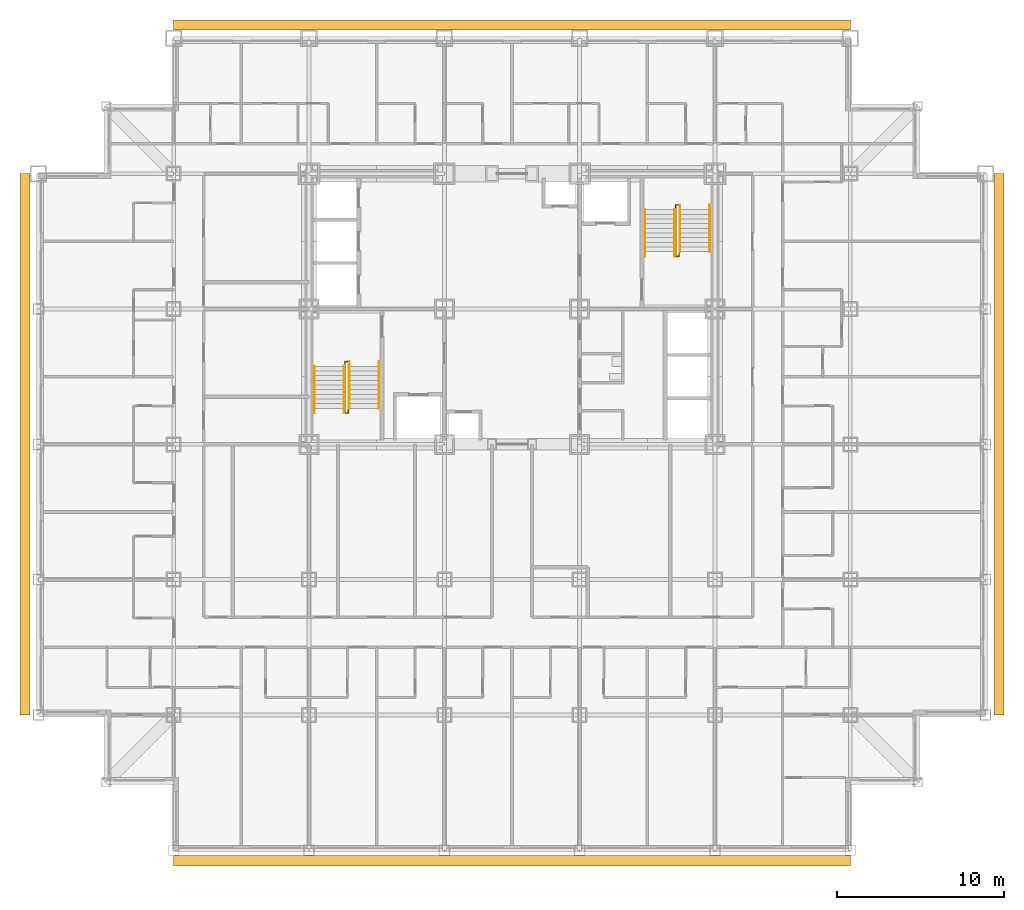
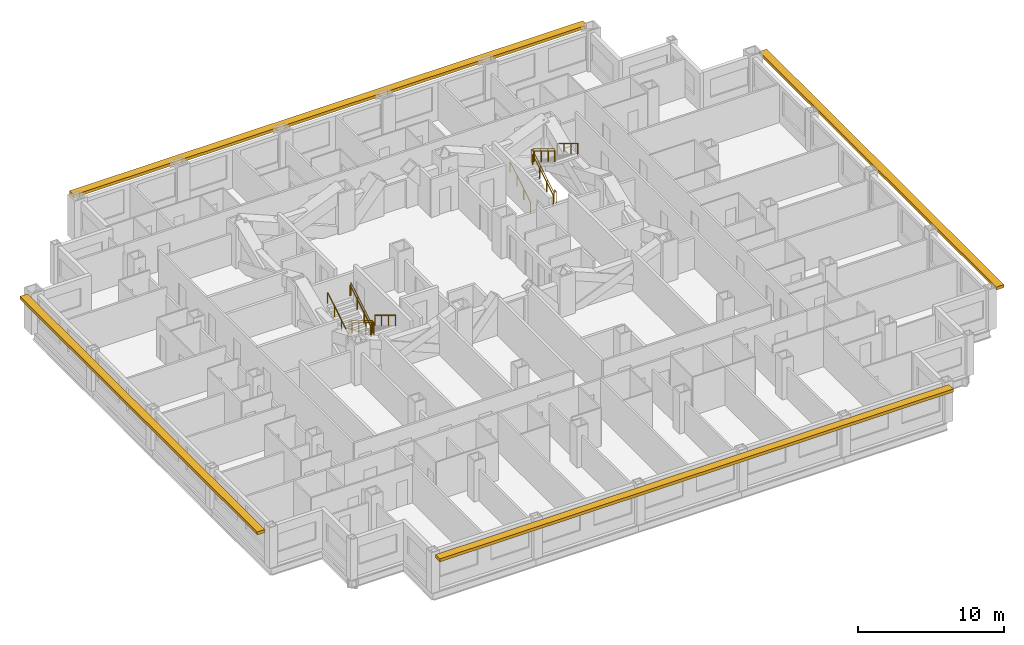
# One storey, part 12 of 13: 10 railings, 4 shading devices.
"""IFC4 building model written with IfcOpenShell, lengths in metres."""

import ifcopenshell
import ifcopenshell.guid

model = None  # the IFC model being written
_history = None  # IfcOwnerHistory: only IFC2X3 demands one
_inside = {}  # id of a spatial element -> (the spatial element, [elements in it])
_under = {}  # id of a project, library or spatial element -> (it, [spatial elements below it])
_declared = {}  # id of a project -> (the project, [libraries it declares])
_typed = {}  # id of a type object -> (the type object, [elements of that type])
_made_of = {}  # id of a material, layer set ... -> (it, [elements and type objects made of it])


def new_model(schema):
    """Start an empty IFC model of exactly this schema.

    Asked for "IFC4X3", IfcOpenShell would pick the latest addendum, in which some entities
    have other attributes; the version numbers below select the first issue.
    IFC2X3 requires an IfcOwnerHistory on every rooted entity: one is made here for all.
    """
    global model, _history
    if schema == "IFC4X3":
        model = ifcopenshell.file(schema_version=(4, 3, 0, 0))
    else:
        model = ifcopenshell.file(schema=schema)
    _inside.clear()
    _under.clear()
    _declared.clear()
    _typed.clear()
    _made_of.clear()
    _history = None
    if model.schema == "IFC2X3":
        org = make("IfcOrganization", Name="unknown")
        user = make(
            "IfcPersonAndOrganization",
            ThePerson=make("IfcPerson", FamilyName="unknown"),
            TheOrganization=org,
        )
        app = make(
            "IfcApplication",
            ApplicationDeveloper=org,
            Version="unknown",
            ApplicationFullName="unknown",
            ApplicationIdentifier="unknown",
        )
        _history = make(
            "IfcOwnerHistory",
            OwningUser=user,
            OwningApplication=app,
            ChangeAction="ADDED",
            CreationDate=0,
        )
    return model


def make(cls, **values):
    """One entity of the class cls with the attributes given. An attribute that is None is left unset."""
    return model.create_entity(
        cls, **{name: value for name, value in values.items() if value is not None}
    )


def rooted(cls, **values):
    """An entity with a GlobalId (a new one), such as an element, a storey or a relation."""
    return make(cls, GlobalId=ifcopenshell.guid.new(), OwnerHistory=_history, **values)


def si_unit(unit_type, name, prefix=None):
    """IfcSIUnit, for example si_unit("LENGTHUNIT", "METRE", prefix="MILLI")."""
    return make("IfcSIUnit", UnitType=unit_type, Prefix=prefix, Name=name)


def assignment(units):
    """IfcUnitAssignment: the units of a project."""
    return None if units is None else make("IfcUnitAssignment", Units=units)


def point(xyz):
    """IfcCartesianPoint."""
    return None if xyz is None else make("IfcCartesianPoint", Coordinates=xyz)


def direction(xyz):
    """IfcDirection."""
    return None if xyz is None else make("IfcDirection", DirectionRatios=xyz)


def frame(location, z_axis=None, x_axis=None):
    """IfcAxis2Placement3D, a coordinate frame: its origin and axes. An axis left out is left unset."""
    return make(
        "IfcAxis2Placement3D",
        Location=point(location),
        Axis=direction(z_axis),
        RefDirection=direction(x_axis),
    )


def frame_2d(location, x_axis=None):
    """IfcAxis2Placement2D, a coordinate frame in the plane: its origin and x axis."""
    return make(
        "IfcAxis2Placement2D", Location=point(location), RefDirection=direction(x_axis)
    )


def origin():
    """The frame at (0, 0, 0) with its axes left unset."""
    return frame((0.0, 0.0, 0.0))


def origin_2d():
    """The frame at (0, 0) in the plane with its x axis left unset."""
    return frame_2d((0.0, 0.0))


def place(relative_to, where):
    """IfcLocalPlacement: puts the frame where relative to a parent placement (None: the world)."""
    return make(
        "IfcLocalPlacement", PlacementRelTo=relative_to, RelativePlacement=where
    )


def context(
    kind, dimensions, precision=None, world=None, true_north=None, identifier=None
):
    """IfcGeometricRepresentationContext, for example the 3D "Model" context."""
    return make(
        "IfcGeometricRepresentationContext",
        ContextIdentifier=identifier,
        ContextType=kind,
        CoordinateSpaceDimension=dimensions,
        Precision=precision,
        WorldCoordinateSystem=world,
        TrueNorth=true_north,
    )


def subcontext(parent, identifier, kind, view, scale=None):
    """IfcGeometricRepresentationSubContext, for example "Body" below "Model"."""
    return make(
        "IfcGeometricRepresentationSubContext",
        ContextIdentifier=identifier,
        ContextType=kind,
        ParentContext=parent,
        TargetScale=scale,
        TargetView=view,
    )


def project(units=None, contexts=None):
    """IfcProject with its units and contexts."""
    return rooted(
        "IfcProject",
        Name="project",
        RepresentationContexts=contexts,
        UnitsInContext=assignment(units),
    )


def spatial(cls, under=None, at=None, **own):
    """A site, building, storey or space (cls), placed at a placement, below another one or the project."""
    s = rooted(cls, ObjectPlacement=at, **own)
    if under is not None:
        _under.setdefault(under.id(), (under, []))[1].append(s)
    return s


def profile(cls, at=None, kind="AREA", **sizes):
    """A parametric profile (cls). Its sizes go by their IFC names, for example OverallWidth=200.0."""
    return make(cls, ProfileType=kind, Position=at, **sizes)


def rectangle(**sizes):
    """IfcRectangleProfileDef."""
    return profile("IfcRectangleProfileDef", **sizes)


def circle(**sizes):
    """IfcCircleProfileDef."""
    return profile("IfcCircleProfileDef", **sizes)


def extrude(swept, where, along, depth):
    """IfcExtrudedAreaSolid: the profile swept, set in the frame where, extruded along a direction by depth."""
    return make(
        "IfcExtrudedAreaSolid",
        SweptArea=swept,
        Position=where,
        ExtrudedDirection=direction(along),
        Depth=depth,
    )


def shape(context_of_items, identifier, shape_type, items):
    """IfcShapeRepresentation: the items that make up one representation, for example the "Body"."""
    return make(
        "IfcShapeRepresentation",
        ContextOfItems=context_of_items,
        RepresentationIdentifier=identifier,
        RepresentationType=shape_type,
        Items=items,
    )


def material(Name=None, Category=None):
    """IfcMaterial."""
    return make("IfcMaterial", Name=Name, Category=Category)


def made_of(thing, what):
    """Note that an element or type object is made of a material, layer set ...; save() writes the relation."""
    if what is not None:
        _made_of.setdefault(what.id(), (what, []))[1].append(thing)
    return thing


def type_object(cls, material=None, **own):
    """A type object (cls), such as IfcWallType, which elements share."""
    return made_of(rooted(cls, **own), material)


def element(
    cls,
    number,
    at=None,
    inside=None,
    cuts=None,
    type_object=None,
    material=None,
    context=None,
    identifier="Body",
    shape_type=None,
    held_by="IfcProductDefinitionShape",
    body=None,
    shapes=None,
    **own,
):
    """One element of the class cls, such as IfcWall. Its Tag is "e" and its number.

    at: its placement. inside: the storey or other place that contains it. cuts: it is an
    opening in that element (IfcRelVoidsElement). A single representation is given by context,
    identifier, shape_type and body (its items); several are given by shapes. held_by: the class
    of the entity that holds the representations. save() writes the other relations.
    """
    e = rooted(cls, Tag="e%d" % number, ObjectPlacement=at, **own)
    if body is not None:
        shapes = [shape(context, identifier, shape_type, body)]
    if shapes is not None:
        e.Representation = make(held_by, Representations=shapes)
    if inside is not None:
        _inside.setdefault(inside.id(), (inside, []))[1].append(e)
    if cuts is not None:
        rooted(
            "IfcRelVoidsElement", RelatingBuildingElement=cuts, RelatedOpeningElement=e
        )
    if type_object is not None:
        _typed.setdefault(type_object.id(), (type_object, []))[1].append(e)
    return made_of(e, material)


def aggregate(whole, parts):
    """IfcRelAggregates: a whole, such as a stair, and the parts it consists of."""
    return rooted("IfcRelAggregates", RelatingObject=whole, RelatedObjects=parts)


def save(model, path):
    """Write the relations noted so far, then the file.

    IfcRelAggregates (storeys below a building ...), IfcRelContainedInSpatialStructure (elements
    in a storey), IfcRelDefinesByType, IfcRelAssociatesMaterial and IfcRelDeclares: one each for
    every whole, place, type object, material and project.
    """
    for whole, parts in _under.values():
        aggregate(whole, parts)
    for where, things in _inside.values():
        rooted(
            "IfcRelContainedInSpatialStructure",
            RelatedElements=things,
            RelatingStructure=where,
        )
    for kind, things in _typed.values():
        rooted("IfcRelDefinesByType", RelatedObjects=things, RelatingType=kind)
    for what, things in _made_of.values():
        rooted("IfcRelAssociatesMaterial", RelatedObjects=things, RelatingMaterial=what)
    for by, libraries in _declared.values():
        rooted("IfcRelDeclares", RelatingContext=by, RelatedDefinitions=libraries)
    model.write(path)


model = new_model("IFC4")

# Units and contexts
model_context = context("Model", 3, precision=1e-05, world=origin(), true_north=direction((0.0, 1.0)))
body_context = subcontext(model_context, "Body", "Model", "MODEL_VIEW")
ifc_project = project(units=[si_unit("LENGTHUNIT", "METRE"), si_unit("AREAUNIT", "SQUARE_METRE"), si_unit("VOLUMEUNIT", "CUBIC_METRE"), si_unit("PLANEANGLEUNIT", "RADIAN"), si_unit("MASSUNIT", "GRAM", prefix="KILO")], contexts=[model_context])

# Site, building, storey
site_placement = place(None, origin())
site = spatial("IfcSite", under=ifc_project, at=site_placement, CompositionType="ELEMENT")
building_placement = place(site_placement, origin())
building = spatial("IfcBuilding", under=site, at=building_placement, Name="Kopane Lantern Tower", CompositionType="ELEMENT")
storey_placement = place(building_placement, frame((0.0, 0.0, 67.0)))
storey = spatial("IfcBuildingStorey", under=building, at=storey_placement, Name="L16", CompositionType="ELEMENT", Elevation=67.0)

# Railings
ifc_material_1 = material(Name="Steel", Category="steel")
railing_type_1 = type_object("IfcRailingType", Name="STAIR GUARD 1100", PredefinedType="GUARDRAIL", material=ifc_material_1)
railing_1_placement = place(storey_placement, frame((18.35009765625, 28.969970703125, 0.0)))
element("IfcRailing", 1, at=railing_1_placement, inside=storey, type_object=railing_type_1, Name="ST1 well guard L16", PredefinedType="GUARDRAIL", context=body_context, shape_type="SweptSolid", body=[
    extrude(circle(Radius=0.02392578125, at=origin_2d()), frame((0.0, 0.0, 1.076171875), z_axis=(0.0, 1.0, 0.0), x_axis=(-1.0, 0.0, 0.0)), (0.0, 0.0, 1.0), 0.280029296875),
    extrude(circle(Radius=0.02392578125, at=origin_2d()), frame((0.0, 0.280029296875, 1.076171875), z_axis=(1.0, 0.0, 0.0), x_axis=(0.0, 1.0, 0.0)), (0.0, 0.0, 1.0), 0.199951171875),
    extrude(circle(Radius=0.02392578125, at=origin_2d()), frame((0.199951171875, 0.280029296875, 1.076171875), z_axis=(0.0, -0.854798142509, 0.518960630071), x_axis=(1.0, 0.0, 0.0)), (0.0, 0.0, 1.0), 3.275634765625),
    extrude(circle(Radius=0.02392578125, at=origin_2d()), frame((0.199951171875, -2.52001953125, 2.77587890625), z_axis=(0.0, -1.0, 0.0), x_axis=(1.0, 0.0, 0.0)), (0.0, 0.0, 1.0), 0.280029296875),
    extrude(circle(Radius=0.02392578125, at=origin_2d()), frame((0.199951171875, -2.800048828125, 2.77587890625), z_axis=(-1.0, 0.0, 0.0), x_axis=(0.0, -1.0, 0.0)), (0.0, 0.0, 1.0), 0.199951171875),
    extrude(circle(Radius=0.02392578125, at=origin_2d()), frame((0.0, -2.800048828125, 2.77587890625), z_axis=(0.0, 0.854798142509, 0.518960630071), x_axis=(-1.0, 0.0, 0.0)), (0.0, 0.0, 1.0), 3.275634765625),
    extrude(circle(Radius=0.02099609375, at=origin_2d()), origin(), (0.0, 0.0, 1.0), 1.052001953125),
    extrude(circle(Radius=0.02099609375, at=origin_2d()), frame((0.0, 0.280029296875, 0.0)), (0.0, 0.0, 1.0), 1.052001953125),
    extrude(circle(Radius=0.02099609375, at=origin_2d()), frame((0.199951171875, 0.280029296875, 0.0)), (0.0, 0.0, 1.0), 1.052001953125),
    extrude(circle(Radius=0.02099609375, at=origin_2d()), frame((0.199951171875, -0.6533203125, 0.566650390625)), (0.0, 0.0, 1.0), 1.052001953125),
    extrude(circle(Radius=0.02099609375, at=origin_2d()), frame((0.199951171875, -1.586669921875, 1.13330078125)), (0.0, 0.0, 1.0), 1.052001953125),
    extrude(circle(Radius=0.02099609375, at=origin_2d()), frame((0.199951171875, -2.52001953125, 1.699951171875)), (0.0, 0.0, 1.0), 1.052001953125),
    extrude(circle(Radius=0.02099609375, at=origin_2d()), frame((0.199951171875, -2.800048828125, 1.699951171875)), (0.0, 0.0, 1.0), 1.052001953125),
    extrude(circle(Radius=0.02099609375, at=origin_2d()), frame((0.0, -2.800048828125, 1.699951171875)), (0.0, 0.0, 1.0), 1.052001953125),
    extrude(circle(Radius=0.02099609375, at=origin_2d()), frame((0.0, -1.86669921875, 2.2666015625)), (0.0, 0.0, 1.0), 1.052001953125),
    extrude(circle(Radius=0.02099609375, at=origin_2d()), frame((0.0, -0.933349609375, 2.833251953125)), (0.0, 0.0, 1.0), 1.052001953125),
    extrude(circle(Radius=0.02099609375, at=origin_2d()), frame((0.0, 0.0, 3.39990234375)), (0.0, 0.0, 1.0), 1.052001953125),
])
railing_2_placement = place(storey_placement, frame((38.35009765625, 35.830078125, 0.0)))
element("IfcRailing", 2, at=railing_2_placement, inside=storey, type_object=railing_type_1, Name="ST2 well guard L16", PredefinedType="GUARDRAIL", context=body_context, shape_type="SweptSolid", body=[
    extrude(circle(Radius=0.02392578125, at=origin_2d()), frame((0.0, 0.0, 1.076171875), z_axis=(0.0, -1.0, 0.0), x_axis=(1.0, 0.0, 0.0)), (0.0, 0.0, 1.0), 0.280029296875),
    extrude(circle(Radius=0.02392578125, at=origin_2d()), frame((0.0, -0.280029296875, 1.076171875), z_axis=(-1.0, 0.0, 0.0), x_axis=(0.0, -1.0, 0.0)), (0.0, 0.0, 1.0), 0.2001953125),
    extrude(circle(Radius=0.02392578125, at=origin_2d()), frame((-0.2001953125, -0.280029296875, 1.076171875), z_axis=(0.0, 0.854798142509, 0.518960630071), x_axis=(-1.0, 0.0, 0.0)), (0.0, 0.0, 1.0), 3.275634765625),
    extrude(circle(Radius=0.02392578125, at=origin_2d()), frame((-0.2001953125, 2.52001953125, 2.77587890625), z_axis=(0.0, 1.0, 0.0), x_axis=(-1.0, 0.0, 0.0)), (0.0, 0.0, 1.0), 0.27978515625),
    extrude(circle(Radius=0.02392578125, at=origin_2d()), frame((-0.2001953125, 2.7998046875, 2.77587890625), z_axis=(1.0, 0.0, 0.0), x_axis=(0.0, 1.0, 0.0)), (0.0, 0.0, 1.0), 0.2001953125),
    extrude(circle(Radius=0.02392578125, at=origin_2d()), frame((0.0, 2.7998046875, 2.77587890625), z_axis=(0.0, -0.854778067842, 0.518993694313), x_axis=(1.0, 0.0, 0.0)), (0.0, 0.0, 1.0), 3.275390625),
    extrude(circle(Radius=0.02099609375, at=origin_2d()), origin(), (0.0, 0.0, 1.0), 1.052001953125),
    extrude(circle(Radius=0.02099609375, at=origin_2d()), frame((0.0, -0.280029296875, 0.0)), (0.0, 0.0, 1.0), 1.052001953125),
    extrude(circle(Radius=0.02099609375, at=origin_2d()), frame((-0.2001953125, -0.280029296875, 0.0)), (0.0, 0.0, 1.0), 1.052001953125),
    extrude(circle(Radius=0.02099609375, at=origin_2d()), frame((-0.2001953125, 0.6533203125, 0.566650390625)), (0.0, 0.0, 1.0), 1.052001953125),
    extrude(circle(Radius=0.02099609375, at=origin_2d()), frame((-0.2001953125, 1.586669921875, 1.13330078125)), (0.0, 0.0, 1.0), 1.052001953125),
    extrude(circle(Radius=0.02099609375, at=origin_2d()), frame((-0.2001953125, 2.52001953125, 1.699951171875)), (0.0, 0.0, 1.0), 1.052001953125),
    extrude(circle(Radius=0.02099609375, at=origin_2d()), frame((-0.2001953125, 2.7998046875, 1.699951171875)), (0.0, 0.0, 1.0), 1.052001953125),
    extrude(circle(Radius=0.02099609375, at=origin_2d()), frame((0.0, 2.7998046875, 1.699951171875)), (0.0, 0.0, 1.0), 1.052001953125),
    extrude(circle(Radius=0.02099609375, at=origin_2d()), frame((0.0, 1.866455078125, 2.2666015625)), (0.0, 0.0, 1.0), 1.052001953125),
    extrude(circle(Radius=0.02099609375, at=origin_2d()), frame((0.0, 0.933349609375, 2.833251953125)), (0.0, 0.0, 1.0), 1.052001953125),
    extrude(circle(Radius=0.02099609375, at=origin_2d()), frame((0.0, 0.0, 3.39990234375)), (0.0, 0.0, 1.0), 1.052001953125),
])
ifc_material_2 = material(Name="Steel", Category="steel")
railing_type_2 = type_object("IfcRailingType", Name="STAIR HANDRAIL 900", PredefinedType="HANDRAIL", material=ifc_material_2)
for number, where, name in (
    (3, (20.389892578125, 29.25, 0.0), "ST1 handrail L16 flight 1"),
    (4, (18.610107421875, 29.25, 0.0), "ST1 handrail L16 flight 1"),
):
    element("IfcRailing", number, at=place(storey_placement, frame(where)), inside=storey, type_object=railing_type_2, Name=name, PredefinedType="HANDRAIL", context=body_context, shape_type="SweptSolid", body=[
        extrude(circle(Radius=0.02392578125, at=origin_2d()), frame((0.0, 0.0, 0.8759765625), z_axis=(0.0, -0.854798142509, 0.518960630071), x_axis=(1.0, 0.0, 0.0)), (0.0, 0.0, 1.0), 3.275634765625),
        extrude(circle(Radius=0.02099609375, at=origin_2d()), origin(), (0.0, 0.0, 1.0), 0.851806640625),
        extrude(circle(Radius=0.02099609375, at=origin_2d()), frame((0.0, -0.933349609375, 0.566650390625)), (0.0, 0.0, 1.0), 0.851806640625),
        extrude(circle(Radius=0.02099609375, at=origin_2d()), frame((0.0, -1.86669921875, 1.13330078125)), (0.0, 0.0, 1.0), 0.851806640625),
        extrude(circle(Radius=0.02099609375, at=origin_2d()), frame((0.0, -2.800048828125, 1.699951171875)), (0.0, 0.0, 1.0), 0.851806640625),
    ])
for number, where, name in (
    (5, (16.510009765625, 26.169921875, 1.699951171875), "ST1 handrail L16 flight 2"),
    (6, (18.2900390625, 26.169921875, 1.699951171875), "ST1 handrail L16 flight 2"),
    (7, (36.31005859375, 35.550048828125, 0.0), "ST2 handrail L16 flight 1"),
    (8, (38.090087890625, 35.550048828125, 0.0), "ST2 handrail L16 flight 1"),
):
    element("IfcRailing", number, at=place(storey_placement, frame(where)), inside=storey, type_object=railing_type_2, Name=name, PredefinedType="HANDRAIL", context=body_context, shape_type="SweptSolid", body=[
        extrude(circle(Radius=0.02392578125, at=origin_2d()), frame((0.0, 0.0, 0.8759765625), z_axis=(0.0, 0.854798142509, 0.518960630071), x_axis=(-1.0, 0.0, 0.0)), (0.0, 0.0, 1.0), 3.275634765625),
        extrude(circle(Radius=0.02099609375, at=origin_2d()), origin(), (0.0, 0.0, 1.0), 0.851806640625),
        extrude(circle(Radius=0.02099609375, at=origin_2d()), frame((0.0, 0.933349609375, 0.566650390625)), (0.0, 0.0, 1.0), 0.851806640625),
        extrude(circle(Radius=0.02099609375, at=origin_2d()), frame((0.0, 1.86669921875, 1.13330078125)), (0.0, 0.0, 1.0), 0.851806640625),
        extrude(circle(Radius=0.02099609375, at=origin_2d()), frame((0.0, 2.800048828125, 1.699951171875)), (0.0, 0.0, 1.0), 0.851806640625),
    ])
for number, where, name in (
    (9, (40.18994140625, 38.6298828125, 1.699951171875), "ST2 handrail L16 flight 2"),
    (10, (38.409912109375, 38.6298828125, 1.699951171875), "ST2 handrail L16 flight 2"),
):
    element("IfcRailing", number, at=place(storey_placement, frame(where)), inside=storey, type_object=railing_type_2, Name=name, PredefinedType="HANDRAIL", context=body_context, shape_type="SweptSolid", body=[
        extrude(circle(Radius=0.02392578125, at=origin_2d()), frame((0.0, 0.0, 0.8759765625), z_axis=(0.0, -0.854778067842, 0.518993694313), x_axis=(1.0, 0.0, 0.0)), (0.0, 0.0, 1.0), 3.275390625),
        extrude(circle(Radius=0.02099609375, at=origin_2d()), origin(), (0.0, 0.0, 1.0), 0.851806640625),
        extrude(circle(Radius=0.02099609375, at=origin_2d()), frame((0.0, -0.933349609375, 0.566650390625)), (0.0, 0.0, 1.0), 0.851806640625),
        extrude(circle(Radius=0.02099609375, at=origin_2d()), frame((0.0, -1.866455078125, 1.13330078125)), (0.0, 0.0, 1.0), 0.851806640625),
        extrude(circle(Radius=0.02099609375, at=origin_2d()), frame((0.0, -2.7998046875, 1.699951171875)), (0.0, 0.0, 1.0), 0.851806640625),
    ])

# Shading devices
ifc_material_3 = material(Name="Terracotta rainscreen on light steel framing", Category="masonry")
shading_device_type = type_object("IfcShadingDeviceType", Name="SUNSHADE BAND SB1 600 TERRACOTTA", PredefinedType="USERDEFINED", material=ifc_material_3)
shading_device_1_placement = place(storey_placement, frame((28.35009765625, -0.625, 2.89990234375), z_axis=(0.0, 0.0, 1.0), x_axis=(1.0, 0.0, 0.0)))
element("IfcShadingDevice", 11, at=shading_device_1_placement, inside=storey, type_object=shading_device_type, Name="Sunshade band S L16", ObjectType="SUNSHADE BAND", PredefinedType="USERDEFINED", context=body_context, shape_type="SweptSolid", body=[
    extrude(rectangle(XDim=40.5, YDim=0.60009765625, at=origin_2d()), origin(), (0.0, 0.0, 1.0), 0.25),
])
shading_device_2_placement = place(storey_placement, frame((57.5, 24.300048828125, 2.89990234375), z_axis=(0.0, 0.0, 1.0), x_axis=(0.0, 1.0, 0.0)))
element("IfcShadingDevice", 12, at=shading_device_2_placement, inside=storey, type_object=shading_device_type, Name="Sunshade band E L16", ObjectType="SUNSHADE BAND", PredefinedType="USERDEFINED", context=body_context, shape_type="SweptSolid", body=[
    extrude(rectangle(XDim=32.39990234375, YDim=0.60009765625, at=origin_2d()), origin(), (0.0, 0.0, 1.0), 0.25),
])
shading_device_3_placement = place(storey_placement, frame((28.35009765625, 49.39990234375, 2.89990234375), z_axis=(0.0, 0.0, 1.0), x_axis=(-1.0, 0.0, 0.0)))
element("IfcShadingDevice", 13, at=shading_device_3_placement, inside=storey, type_object=shading_device_type, Name="Sunshade band N L16", ObjectType="SUNSHADE BAND", PredefinedType="USERDEFINED", context=body_context, shape_type="SweptSolid", body=[
    extrude(rectangle(XDim=40.5, YDim=0.60009765625, at=origin_2d()), origin(), (0.0, 0.0, 1.0), 0.25),
])
shading_device_4_placement = place(storey_placement, frame((-0.800048828125, 24.300048828125, 2.89990234375), z_axis=(0.0, 0.0, 1.0), x_axis=(0.0, -1.0, 0.0)))
element("IfcShadingDevice", 14, at=shading_device_4_placement, inside=storey, type_object=shading_device_type, Name="Sunshade band W L16", ObjectType="SUNSHADE BAND", PredefinedType="USERDEFINED", context=body_context, shape_type="SweptSolid", body=[
    extrude(rectangle(XDim=32.39990234375, YDim=0.60009765625, at=origin_2d()), origin(), (0.0, 0.0, 1.0), 0.25),
])

save(model, "model.ifc")
